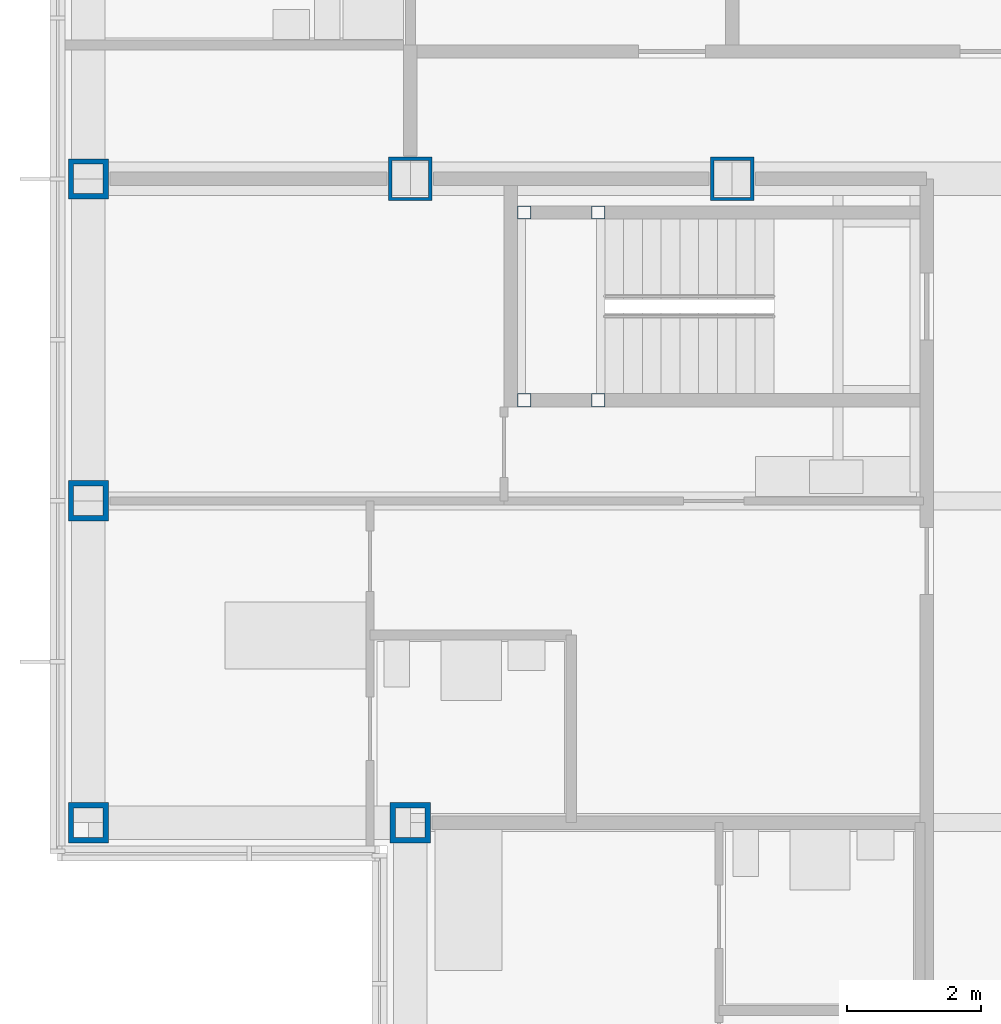
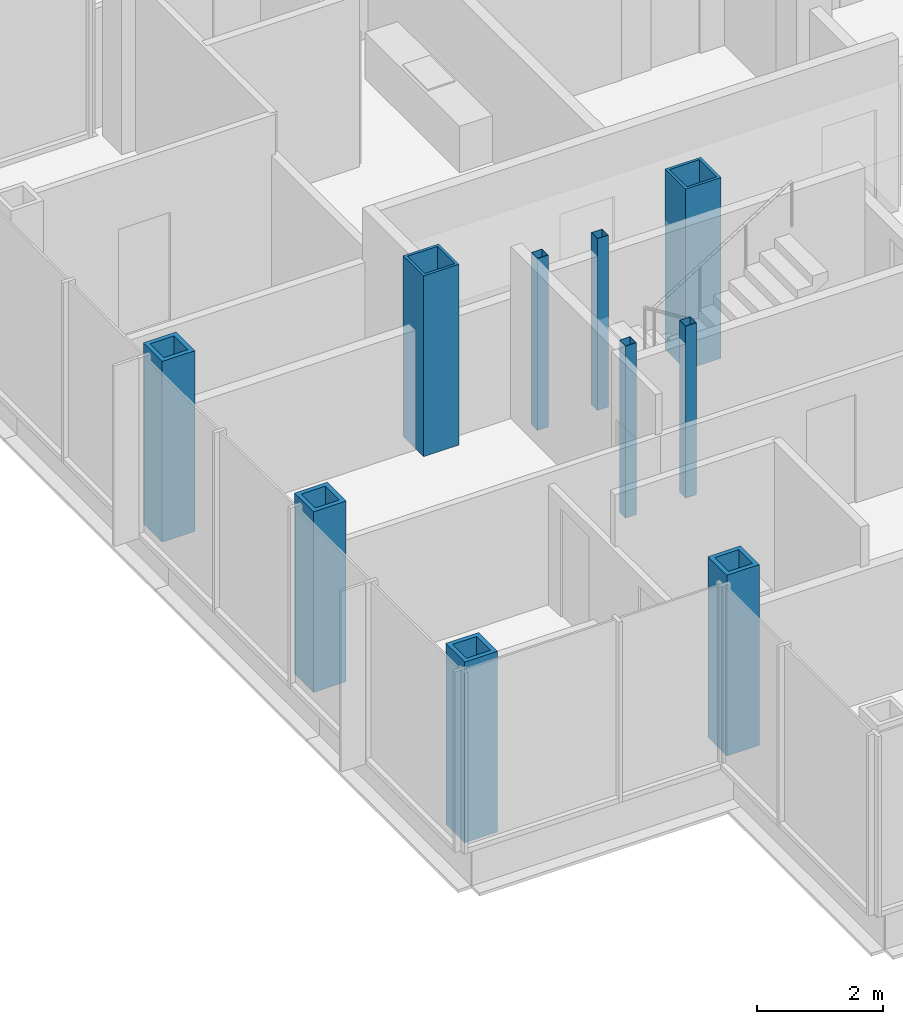
# One storey, part 3 of 20: 10 columns.
"""IFC4 building model written with IfcOpenShell, lengths in metres."""

from ifc_helpers import new_model, si_unit, direction, frame, origin, origin_2d, place, context, subcontext, project, spatial, hollow_rectangle, extrude, material, material_profile, profile_set, type_object, element, save


model = new_model("IFC4")

# Units and contexts
model_context = context("Model", 3, precision=1e-05, world=origin(), true_north=direction((0.0, 1.0)))
body_context = subcontext(model_context, "Body", "Model", "MODEL_VIEW")
ifc_project = project(units=[si_unit("LENGTHUNIT", "METRE"), si_unit("AREAUNIT", "SQUARE_METRE"), si_unit("VOLUMEUNIT", "CUBIC_METRE"), si_unit("PLANEANGLEUNIT", "RADIAN"), si_unit("MASSUNIT", "GRAM", prefix="KILO")], contexts=[model_context])

# Site, building, storey
site_placement = place(None, origin())
site = spatial("IfcSite", under=ifc_project, at=site_placement, CompositionType="ELEMENT")
building_placement = place(site_placement, origin())
building = spatial("IfcBuilding", under=site, at=building_placement, Name="Kvirike Care Tower", CompositionType="ELEMENT")
storey_placement = place(building_placement, frame((0.0, 0.0, 122.5)))
storey = spatial("IfcBuildingStorey", under=building, at=storey_placement, Name="L33", CompositionType="ELEMENT", Elevation=122.5)

# Columns
ifc_material_1 = material(Name="Steel S460", Category="steel")
ifc_material_profile_1 = material_profile(ifc_material_1, hollow_rectangle(XDim=0.60009765625, YDim=0.60009765625, WallThickness=0.080078125, at=origin_2d()), Name="BX 600x600x80")
ifc_profile_set_1 = profile_set([ifc_material_profile_1], Name="Steel S460")
column_type_1 = type_object("IfcColumnType", Name="COLUMN BX 600x600x80", PredefinedType="COLUMN", material=ifc_profile_set_1)
for number, where, z_axis, x_axis, name in (
    (1, (0.0, 33.60009765625, 0.0), (0.0, 0.0, 1.0), (0.0, 1.0, 0.0), "Column H3 L33"),
    (2, (0.0, 38.39990234375, 0.0), (0.0, 0.0, 1.0), (1.0, 0.0, 0.0), "Column J3 L33"),
    (3, (0.0, 43.199951171875, 0.0), (0.0, 0.0, 1.0), (0.0, 1.0, 0.0), "Column K3 L33"),
    (4, (4.800048828125, 33.60009765625, 0.0), (0.0, 0.0, 1.0), (0.0, 1.0, 0.0), "Column H4 L33"),
):
    element("IfcColumn", number, at=place(storey_placement, frame(where, z_axis=z_axis, x_axis=x_axis)), inside=storey, type_object=column_type_1, Name=name, PredefinedType="COLUMN", context=body_context, shape_type="SweptSolid", body=[
        extrude(hollow_rectangle(XDim=0.60009765625, YDim=0.60009765625, WallThickness=0.080078125, at=origin_2d()), origin(), (0.0, 0.0, 1.0), 3.5),
    ])
ifc_material_2 = material(Name="Steel S460", Category="steel")
ifc_material_profile_2 = material_profile(ifc_material_2, hollow_rectangle(XDim=0.64990234375, YDim=0.64990234375, WallThickness=0.050048828125, at=origin_2d()), Name="BX 650x650x50")
ifc_profile_set_2 = profile_set([ifc_material_profile_2], Name="Steel S460")
column_type_2 = type_object("IfcColumnType", Name="COLUMN BX 650x650x50", PredefinedType="COLUMN", material=ifc_profile_set_2)
for number, where, z_axis, x_axis, name in (
    (5, (4.800048828125, 43.199951171875, 0.0), (0.0, 0.0, 1.0), (0.0, 1.0, 0.0), "Column K4 L33"),
    (6, (9.60009765625, 43.199951171875, 0.0), (0.0, 0.0, 1.0), (0.0, 1.0, 0.0), "Column K5 L33"),
):
    element("IfcColumn", number, at=place(storey_placement, frame(where, z_axis=z_axis, x_axis=x_axis)), inside=storey, type_object=column_type_2, Name=name, PredefinedType="COLUMN", context=body_context, shape_type="SweptSolid", body=[
        extrude(hollow_rectangle(XDim=0.64990234375, YDim=0.64990234375, WallThickness=0.050048828125, at=origin_2d()), origin(), (0.0, 0.0, 1.0), 3.5),
    ])
ifc_material_3 = material(Name="Steel S460", Category="steel")
ifc_material_profile_3 = material_profile(ifc_material_3, hollow_rectangle(XDim=0.199951171875, YDim=0.199951171875, WallThickness=0.008056640625, at=origin_2d()), Name="SHS 200x200x8")
ifc_profile_set_3 = profile_set([ifc_material_profile_3], Name="Steel S460")
column_type_3 = type_object("IfcColumnType", Name="STAIR POST SHS 200x200x8", PredefinedType="COLUMN", material=ifc_profile_set_3)
for number, where, z_axis, x_axis, name in (
    (7, (6.5, 42.699951171875, 0.0), (0.0, 0.0, 1.0), (1.0, 0.0, 0.0), "Stair 1 post 1 L33"),
    (8, (6.5, 39.89990234375, 0.0), (0.0, 0.0, 1.0), (1.0, 0.0, 0.0), "Stair 1 post 2 L33"),
    (9, (7.60009765625, 42.699951171875, 0.0), (0.0, 0.0, 1.0), (1.0, 0.0, 0.0), "Stair 1 post 3 L33"),
    (10, (7.60009765625, 39.89990234375, 0.0), (0.0, 0.0, 1.0), (1.0, 0.0, 0.0), "Stair 1 post 4 L33"),
):
    element("IfcColumn", number, at=place(storey_placement, frame(where, z_axis=z_axis, x_axis=x_axis)), inside=storey, type_object=column_type_3, Name=name, PredefinedType="COLUMN", context=body_context, shape_type="SweptSolid", body=[
        extrude(hollow_rectangle(XDim=0.199951171875, YDim=0.199951171875, WallThickness=0.008056640625, at=origin_2d()), origin(), (0.0, 0.0, 1.0), 3.330078125),
    ])

save(model, "model.ifc")
